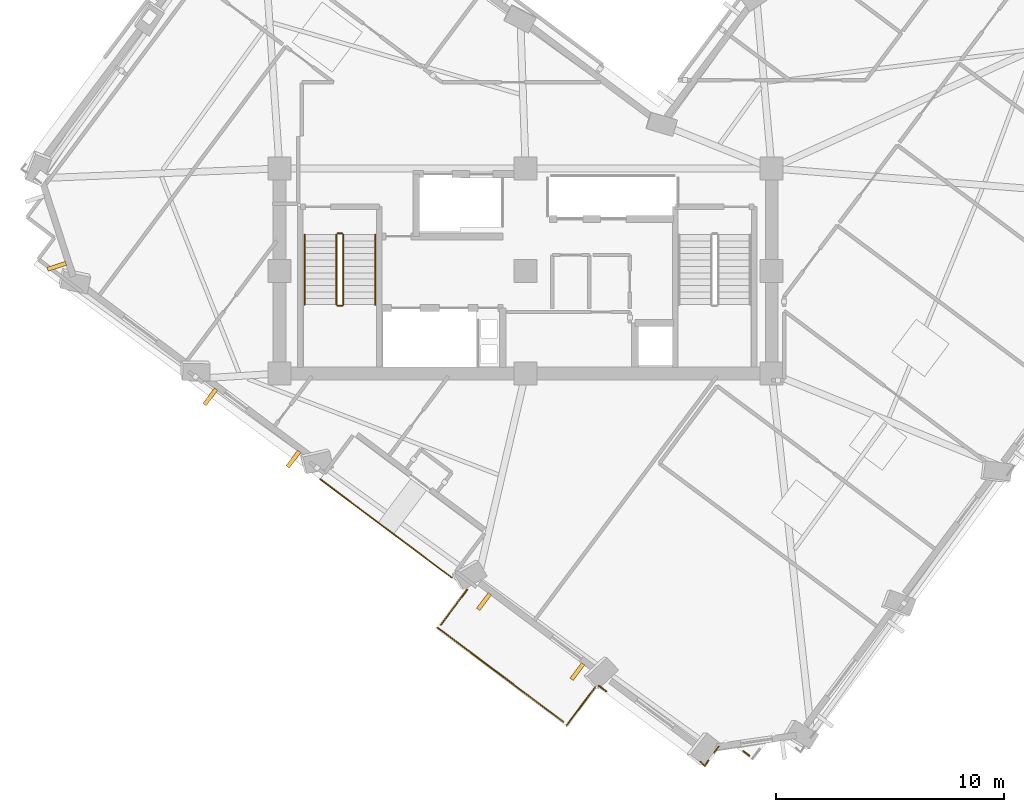
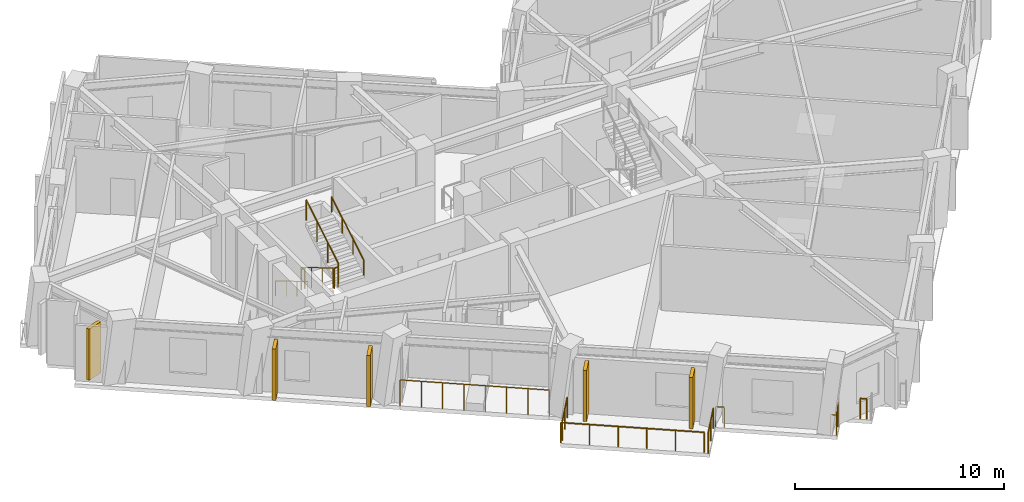
# One storey, part 8 of 12: 14 railings, 5 shading devices.
"""IFC4 building model written with IfcOpenShell, lengths in metres."""

from ifc_helpers import new_model, si_unit, direction, frame, origin, origin_2d, place, context, subcontext, project, spatial, rectangle, circle, extrude, material, layer, layer_set, type_object, element, save


model = new_model("IFC4")

# Units and contexts
model_context = context("Model", 3, precision=1e-05, world=origin(), true_north=direction((0.0, 1.0)))
body_context = subcontext(model_context, "Body", "Model", "MODEL_VIEW")
ifc_project = project(units=[si_unit("LENGTHUNIT", "METRE"), si_unit("AREAUNIT", "SQUARE_METRE"), si_unit("VOLUMEUNIT", "CUBIC_METRE"), si_unit("PLANEANGLEUNIT", "RADIAN"), si_unit("MASSUNIT", "GRAM", prefix="KILO")], contexts=[model_context])

# Site, building, storey
site_placement = place(None, origin())
site = spatial("IfcSite", under=ifc_project, at=site_placement, CompositionType="ELEMENT")
building_placement = place(site_placement, origin())
building = spatial("IfcBuilding", under=site, at=building_placement, Name="Gaonmaruhae Medical Tower", CompositionType="ELEMENT")
storey_placement = place(building_placement, frame((0.0, 0.0, 251.199951171875)))
storey = spatial("IfcBuildingStorey", under=building, at=storey_placement, Name="L60", CompositionType="ELEMENT", Elevation=251.199951171875)

# Railings
ifc_material_1 = material(Name="Stainless steel 316L and laminated safety glass", Category="steel")
ifc_layer_1 = layer(ifc_material_1, 0.080078125)
ifc_layer_set_1 = layer_set([ifc_layer_1], Name="Stainless steel 316L and laminated safety glass")
railing_type_1 = type_object("IfcRailingType", Name="GD-120 Outdoor Terrace Safety Glass & Steel Balustrade", PredefinedType="BALUSTRADE", material=ifc_layer_set_1)
railing_1_placement = place(storey_placement, frame((34.62060546875, -8.970703125, 0.0)))
element("IfcRailing", 1, at=railing_1_placement, inside=storey, type_object=railing_type_1, Name="L60 Perimeter Slab Edge Safety Balustrade 10", PredefinedType="BALUSTRADE", context=body_context, shape_type="SweptSolid", body=[
    extrude(circle(Radius=0.02392578125, at=origin_2d()), frame((0.0, 0.0, 1.17578125), z_axis=(-0.801074784018, 0.598564274252, 0.0), x_axis=(-0.598564274252, -0.801074784018, 0.0)), (0.0, 0.0, 1.0), 0.32666015625),
    extrude(circle(Radius=0.02099609375, at=origin_2d()), origin(), (0.0, 0.0, 1.0), 1.15185546875),
    extrude(circle(Radius=0.02099609375, at=origin_2d()), frame((-0.26171875, 0.195556640625, 0.0)), (0.0, 0.0, 1.0), 1.15185546875),
])
railing_2_placement = place(storey_placement, frame((33.272705078125, -8.574462890625, 0.0)))
element("IfcRailing", 2, at=railing_2_placement, inside=storey, type_object=railing_type_1, Name="L60 Perimeter Slab Edge Safety Balustrade 11", PredefinedType="BALUSTRADE", context=body_context, shape_type="SweptSolid", body=[
    extrude(circle(Radius=0.02392578125, at=origin_2d()), frame((0.0, 0.0, 1.17578125), z_axis=(-0.599401925268, -0.800448206935, 0.0), x_axis=(0.800448206935, -0.599401925268, 0.0)), (0.0, 0.0, 1.0), 0.32666015625),
    extrude(circle(Radius=0.02099609375, at=origin_2d()), origin(), (0.0, 0.0, 1.0), 1.15185546875),
    extrude(circle(Radius=0.02099609375, at=origin_2d()), frame((-0.19580078125, -0.261474609375, 0.0)), (0.0, 0.0, 1.0), 1.15185546875),
])
railing_3_placement = place(storey_placement, frame((28.349853515625, -6.153076171875, 0.0)))
element("IfcRailing", 3, at=railing_3_placement, inside=storey, type_object=railing_type_1, Name="L60 Perimeter Slab Edge Safety Balustrade 12", PredefinedType="BALUSTRADE", context=body_context, shape_type="SweptSolid", body=[
    extrude(circle(Radius=0.02392578125, at=origin_2d()), frame((0.0, 0.0, 1.17578125), z_axis=(-0.800700797227, 0.599064465079, 0.0), x_axis=(-0.599064465079, -0.800700797227, 0.0)), (0.0, 0.0, 1.0), 0.417724609375),
    extrude(circle(Radius=0.02099609375, at=origin_2d()), origin(), (0.0, 0.0, 1.0), 1.15185546875),
    extrude(circle(Radius=0.02099609375, at=origin_2d()), frame((-0.33447265625, 0.250244140625, 0.0)), (0.0, 0.0, 1.0), 1.15185546875),
])
railing_4_placement = place(storey_placement, frame((27.847900390625, -5.976318359375, 0.0)))
element("IfcRailing", 4, at=railing_4_placement, inside=storey, type_object=railing_type_1, Name="L60 Perimeter Slab Edge Safety Balustrade 13", PredefinedType="BALUSTRADE", context=body_context, shape_type="SweptSolid", body=[
    extrude(circle(Radius=0.02392578125, at=origin_2d()), frame((0.0, 0.0, 1.17578125), z_axis=(-0.598915819464, -0.800811988669, 0.0), x_axis=(0.800811988669, -0.598915819464, 0.0)), (0.0, 0.0, 1.0), 2.0908203125),
    extrude(circle(Radius=0.02099609375, at=origin_2d()), origin(), (0.0, 0.0, 1.0), 1.15185546875),
    extrude(circle(Radius=0.02099609375, at=origin_2d()), frame((-0.6259765625, -0.837158203125, 0.0)), (0.0, 0.0, 1.0), 1.15185546875),
    extrude(circle(Radius=0.02099609375, at=origin_2d()), frame((-1.252197265625, -1.67431640625, 0.0)), (0.0, 0.0, 1.0), 1.15185546875),
])
railing_5_placement = place(storey_placement, frame((26.464599609375, -7.489990234375, 0.0)))
element("IfcRailing", 5, at=railing_5_placement, inside=storey, type_object=railing_type_1, Name="L60 Perimeter Slab Edge Safety Balustrade 14", PredefinedType="BALUSTRADE", context=body_context, shape_type="SweptSolid", body=[
    extrude(circle(Radius=0.02392578125, at=origin_2d()), frame((0.0, 0.0, 1.17578125), z_axis=(-0.800728757645, 0.599027091774, 0.0), x_axis=(-0.599027091774, -0.800728757645, 0.0)), (0.0, 0.0, 1.0), 6.908935546875),
    extrude(circle(Radius=0.02099609375, at=origin_2d()), origin(), (0.0, 0.0, 1.0), 1.15185546875),
    extrude(circle(Radius=0.02099609375, at=origin_2d()), frame((-1.1064453125, 0.82763671875, 0.0)), (0.0, 0.0, 1.0), 1.15185546875),
    extrude(circle(Radius=0.02099609375, at=origin_2d()), frame((-2.212890625, 1.655517578125, 0.0)), (0.0, 0.0, 1.0), 1.15185546875),
    extrude(circle(Radius=0.02099609375, at=origin_2d()), frame((-3.3193359375, 2.483154296875, 0.0)), (0.0, 0.0, 1.0), 1.15185546875),
    extrude(circle(Radius=0.02099609375, at=origin_2d()), frame((-4.42578125, 3.31103515625, 0.0)), (0.0, 0.0, 1.0), 1.15185546875),
    extrude(circle(Radius=0.02099609375, at=origin_2d()), frame((-5.5322265625, 4.138671875, 0.0)), (0.0, 0.0, 1.0), 1.15185546875),
])
railing_6_placement = place(storey_placement, frame((21.085205078125, -3.23046875, 0.0)))
element("IfcRailing", 6, at=railing_6_placement, inside=storey, type_object=railing_type_1, Name="L60 Perimeter Slab Edge Safety Balustrade 15", PredefinedType="BALUSTRADE", context=body_context, shape_type="SweptSolid", body=[
    extrude(circle(Radius=0.02392578125, at=origin_2d()), frame((0.0, 0.0, 1.17578125), z_axis=(0.599064465079, 0.800700797227, 0.0), x_axis=(-0.800700797227, 0.599064465079, 0.0)), (0.0, 0.0, 1.0), 1.921630859375),
    extrude(circle(Radius=0.02099609375, at=origin_2d()), origin(), (0.0, 0.0, 1.0), 1.15185546875),
    extrude(circle(Radius=0.02099609375, at=origin_2d()), frame((0.57568359375, 0.769287109375, 0.0)), (0.0, 0.0, 1.0), 1.15185546875),
    extrude(circle(Radius=0.02099609375, at=origin_2d()), frame((1.151123046875, 1.53857421875, 0.0)), (0.0, 0.0, 1.0), 1.15185546875),
])
railing_7_placement = place(storey_placement, frame((32.8173828125, -9.182861328125, 0.0)))
element("IfcRailing", 7, at=railing_7_placement, inside=storey, type_object=railing_type_1, Name="L60 Perimeter Corner Safety Balustrade 18", PredefinedType="BALUSTRADE", context=body_context, shape_type="SweptSolid", body=[
    extrude(circle(Radius=0.02392578125, at=origin_2d()), frame((0.0, 0.0, 1.17578125), z_axis=(-0.496505125609, -0.868033789806, 0.0), x_axis=(0.868033789806, -0.496505125609, 0.0)), (0.0, 0.0, 1.0), 0.287109375),
    extrude(circle(Radius=0.02392578125, at=origin_2d()), frame((-0.142578125, -0.249267578125, 1.17578125), z_axis=(-0.72182891574, 0.692071539944, 0.0), x_axis=(-0.692071539944, -0.72182891574, 0.0)), (0.0, 0.0, 1.0), 0.287109375),
    extrude(circle(Radius=0.02099609375, at=origin_2d()), origin(), (0.0, 0.0, 1.0), 1.15185546875),
    extrude(circle(Radius=0.02099609375, at=origin_2d()), frame((-0.142578125, -0.249267578125, 0.0)), (0.0, 0.0, 1.0), 1.15185546875),
    extrude(circle(Radius=0.02099609375, at=origin_2d()), frame((-0.349853515625, -0.050537109375, 0.0)), (0.0, 0.0, 1.0), 1.15185546875),
])
ifc_layer_2 = layer(ifc_material_1, 0.080078125)
ifc_layer_set_2 = layer_set([ifc_layer_2], Name="Stainless steel 316L and laminated safety glass")
railing_type_2 = type_object("IfcRailingType", Name="GD-155 Planter-Edge Raised Safety Balustrade", PredefinedType="BALUSTRADE", material=ifc_layer_set_2)
railing_8_placement = place(storey_placement, frame((15.786376953125, 3.158203125, 0.0)))
element("IfcRailing", 8, at=railing_8_placement, inside=storey, type_object=railing_type_2, Name="L60 Terrace Safety Guard RL-SLB-L60-TER-04", PredefinedType="BALUSTRADE", context=body_context, shape_type="SweptSolid", body=[
    extrude(circle(Radius=0.02392578125, at=origin_2d()), frame((0.0, 0.0, 1.52587890625), z_axis=(0.800735877671, -0.599017574209, 0.0), x_axis=(0.599017574209, 0.800735877671, 0.0)), (0.0, 0.0, 1.0), 7.2001953125),
    extrude(circle(Radius=0.02099609375, at=origin_2d()), origin(), (0.0, 0.0, 1.0), 1.501953125),
    extrude(circle(Radius=0.02099609375, at=origin_2d()), frame((0.82373046875, -0.6162109375, 0.0)), (0.0, 0.0, 1.0), 1.501953125),
    extrude(circle(Radius=0.02099609375, at=origin_2d()), frame((1.647216796875, -1.232177734375, 0.0)), (0.0, 0.0, 1.0), 1.501953125),
    extrude(circle(Radius=0.02099609375, at=origin_2d()), frame((2.470947265625, -1.848388671875, 0.0)), (0.0, 0.0, 1.0), 1.501953125),
    extrude(circle(Radius=0.02099609375, at=origin_2d()), frame((3.29443359375, -2.464599609375, 0.0)), (0.0, 0.0, 1.0), 1.501953125),
    extrude(circle(Radius=0.02099609375, at=origin_2d()), frame((4.1181640625, -3.080810546875, 0.0)), (0.0, 0.0, 1.0), 1.501953125),
    extrude(circle(Radius=0.02099609375, at=origin_2d()), frame((4.941650390625, -3.69677734375, 0.0)), (0.0, 0.0, 1.0), 1.501953125),
    extrude(circle(Radius=0.02099609375, at=origin_2d()), frame((5.765380859375, -4.31298828125, 0.0)), (0.0, 0.0, 1.0), 1.501953125),
])
ifc_material_2 = material(Name="Stainless steel 304 handrail", Category="steel")
railing_type_3 = type_object("IfcRailingType", Name="HR-092 Continuous Stainless Steel Stair Handrail", PredefinedType="HANDRAIL", material=ifc_material_2)
railing_9_placement = place(storey_placement, frame((15.10009765625, 13.89990234375, 0.166748046875)))
element("IfcRailing", 9, at=railing_9_placement, inside=storey, type_object=railing_type_3, Name="L60 ST-01 stair handrail 1", PredefinedType="HANDRAIL", context=body_context, shape_type="SweptSolid", body=[
    extrude(circle(Radius=0.02392578125, at=origin_2d()), frame((0.0, 0.0, 0.8759765625), z_axis=(0.0, -0.859290745958, 0.51148745235), x_axis=(1.0, 0.0, 0.0)), (0.0, 0.0, 1.0), 3.584228515625),
    extrude(circle(Radius=0.02099609375, at=origin_2d()), origin(), (0.0, 0.0, 1.0), 0.851806640625),
    extrude(circle(Radius=0.02099609375, at=origin_2d()), frame((0.0, -1.026611328125, 0.611083984375)), (0.0, 0.0, 1.0), 0.851806640625),
    extrude(circle(Radius=0.02099609375, at=origin_2d()), frame((0.0, -2.05322265625, 1.22216796875)), (0.0, 0.0, 1.0), 0.851806640625),
    extrude(circle(Radius=0.02099609375, at=origin_2d()), frame((0.0, -3.079833984375, 1.833251953125)), (0.0, 0.0, 1.0), 0.851806640625),
])
railing_10_placement = place(storey_placement, frame((18.199951171875, 10.820068359375, 2.166748046875)))
element("IfcRailing", 10, at=railing_10_placement, inside=storey, type_object=railing_type_3, Name="L60 ST-01 stair handrail 2", PredefinedType="HANDRAIL", context=body_context, shape_type="SweptSolid", body=[
    extrude(circle(Radius=0.02392578125, at=origin_2d()), frame((0.0, 0.0, 0.8759765625), z_axis=(0.0, 0.859290745958, 0.51148745235), x_axis=(-1.0, 0.0, 0.0)), (0.0, 0.0, 1.0), 3.584228515625),
    extrude(circle(Radius=0.02099609375, at=origin_2d()), origin(), (0.0, 0.0, 1.0), 0.851806640625),
    extrude(circle(Radius=0.02099609375, at=origin_2d()), frame((0.0, 1.026611328125, 0.611083984375)), (0.0, 0.0, 1.0), 0.851806640625),
    extrude(circle(Radius=0.02099609375, at=origin_2d()), frame((0.0, 2.05322265625, 1.22216796875)), (0.0, 0.0, 1.0), 0.851806640625),
    extrude(circle(Radius=0.02099609375, at=origin_2d()), frame((0.0, 3.079833984375, 1.833251953125)), (0.0, 0.0, 1.0), 0.851806640625),
])

# Shading devices
ifc_material_3 = material(Name="Pigmented coral precast concrete C45/55", Category="concrete")
shading_device_type = type_object("IfcShadingDeviceType", Name="SD-FIN1 Tower Vertical Coral Precast Shading Fin", PredefinedType="USERDEFINED", material=ifc_material_3)
for number, where, z_axis, x_axis, name in (
    (11, (4.22412109375, 12.50634765625, 0.132568359375), (0.0, 0.0, 1.0), (-0.308734796628, 0.951148161619, 0.0), "L60 Vertical Coral Precast Shading Fin N03"),
    (12, (14.61279296875, 4.04248046875, 0.12255859375), (0.0, 0.0, 1.0), (-0.800731370949, 0.599023598516, 0.0), "L60 Vertical Coral Precast Shading Fin W02"),
    (13, (10.960693359375, 6.774658203125, 0.12255859375), (0.0, 0.0, 1.0), (-0.800731370949, 0.599023598516, 0.0), "L60 Vertical Coral Precast Shading Fin W02B"),
    (14, (27.076416015625, -5.281494140625, 0.12255859375), (0.0, 0.0, 1.0), (-0.800731370949, 0.599023598516, 0.0), "L60 Vertical Coral Precast Shading Fin W04"),
    (15, (22.97265625, -2.21142578125, 0.12255859375), (0.0, 0.0, 1.0), (-0.800731370949, 0.599023598516, 0.0), "L60 Vertical Coral Precast Shading Fin W04B"),
):
    element("IfcShadingDevice", number, at=place(storey_placement, frame(where, z_axis=z_axis, x_axis=x_axis)), inside=storey, type_object=shading_device_type, Name=name, ObjectType="FIN", PredefinedType="USERDEFINED", context=body_context, shape_type="SweptSolid", body=[
        extrude(rectangle(XDim=0.179931640625, YDim=0.85009765625, at=origin_2d()), origin(), (0.0, 0.0, 1.0), 3.0),
    ])

# Railings
ifc_material_4 = material(Name="Stainless steel 304 balustrade", Category="steel")
railing_type_4 = type_object("IfcRailingType", Name="SG-112 Stair Well & Ramp Void Safety Balustrade", PredefinedType="BALUSTRADE", material=ifc_material_4)
railing_11_placement = place(storey_placement, frame((16.5, 13.89990234375, 0.166748046875)))
element("IfcRailing", 16, at=railing_11_placement, inside=storey, type_object=railing_type_4, Name="L60 ST-01 stair guard 1", PredefinedType="BALUSTRADE", context=body_context, shape_type="SweptSolid", body=[
    extrude(circle(Radius=0.02392578125, at=origin_2d()), frame((0.0, 0.0, 1.17578125), z_axis=(0.0, -0.859290745958, 0.51148745235), x_axis=(1.0, 0.0, 0.0)), (0.0, 0.0, 1.0), 3.584228515625),
    extrude(circle(Radius=0.02099609375, at=origin_2d()), origin(), (0.0, 0.0, 1.0), 1.15185546875),
    extrude(circle(Radius=0.02099609375, at=origin_2d()), frame((0.0, -1.026611328125, 0.611083984375)), (0.0, 0.0, 1.0), 1.15185546875),
    extrude(circle(Radius=0.02099609375, at=origin_2d()), frame((0.0, -2.05322265625, 1.22216796875)), (0.0, 0.0, 1.0), 1.15185546875),
    extrude(circle(Radius=0.02099609375, at=origin_2d()), frame((0.0, -3.079833984375, 1.833251953125)), (0.0, 0.0, 1.0), 1.15185546875),
])
railing_12_placement = place(storey_placement, frame((16.550048828125, 10.77001953125, 2.0)))
element("IfcRailing", 17, at=railing_12_placement, inside=storey, type_object=railing_type_4, Name="L60 ST-01 stair guard 2", PredefinedType="BALUSTRADE", context=body_context, shape_type="SweptSolid", body=[
    extrude(circle(Radius=0.02392578125, at=origin_2d()), frame((0.0, 0.0, 1.17578125), z_axis=(1.0, 0.0, 0.0), x_axis=(0.0, 1.0, 0.0)), (0.0, 0.0, 1.0), 0.199951171875),
    extrude(circle(Radius=0.02099609375, at=origin_2d()), origin(), (0.0, 0.0, 1.0), 1.15185546875),
    extrude(circle(Radius=0.02099609375, at=origin_2d()), frame((0.199951171875, 0.0, 0.0)), (0.0, 0.0, 1.0), 1.15185546875),
])
railing_13_placement = place(storey_placement, frame((16.800048828125, 10.820068359375, 2.166748046875)))
element("IfcRailing", 18, at=railing_13_placement, inside=storey, type_object=railing_type_4, Name="L60 ST-01 stair guard 3", PredefinedType="BALUSTRADE", context=body_context, shape_type="SweptSolid", body=[
    extrude(circle(Radius=0.02392578125, at=origin_2d()), frame((0.0, 0.0, 1.17578125), z_axis=(0.0, 0.859290745958, 0.51148745235), x_axis=(-1.0, 0.0, 0.0)), (0.0, 0.0, 1.0), 3.584228515625),
    extrude(circle(Radius=0.02099609375, at=origin_2d()), origin(), (0.0, 0.0, 1.0), 1.15185546875),
    extrude(circle(Radius=0.02099609375, at=origin_2d()), frame((0.0, 1.026611328125, 0.611083984375)), (0.0, 0.0, 1.0), 1.15185546875),
    extrude(circle(Radius=0.02099609375, at=origin_2d()), frame((0.0, 2.05322265625, 1.22216796875)), (0.0, 0.0, 1.0), 1.15185546875),
    extrude(circle(Radius=0.02099609375, at=origin_2d()), frame((0.0, 3.079833984375, 1.833251953125)), (0.0, 0.0, 1.0), 1.15185546875),
])
railing_14_placement = place(storey_placement, frame((16.550048828125, 13.949951171875, 0.0)))
element("IfcRailing", 19, at=railing_14_placement, inside=storey, type_object=railing_type_4, Name="L60 ST-01 stair guard 4", PredefinedType="BALUSTRADE", context=body_context, shape_type="SweptSolid", body=[
    extrude(circle(Radius=0.02392578125, at=origin_2d()), frame((0.0, 0.0, 1.17578125), z_axis=(1.0, 0.0, 0.0), x_axis=(0.0, 1.0, 0.0)), (0.0, 0.0, 1.0), 0.199951171875),
    extrude(circle(Radius=0.02099609375, at=origin_2d()), origin(), (0.0, 0.0, 1.0), 1.15185546875),
    extrude(circle(Radius=0.02099609375, at=origin_2d()), frame((0.199951171875, 0.0, 0.0)), (0.0, 0.0, 1.0), 1.15185546875),
])

save(model, "model.ifc")
